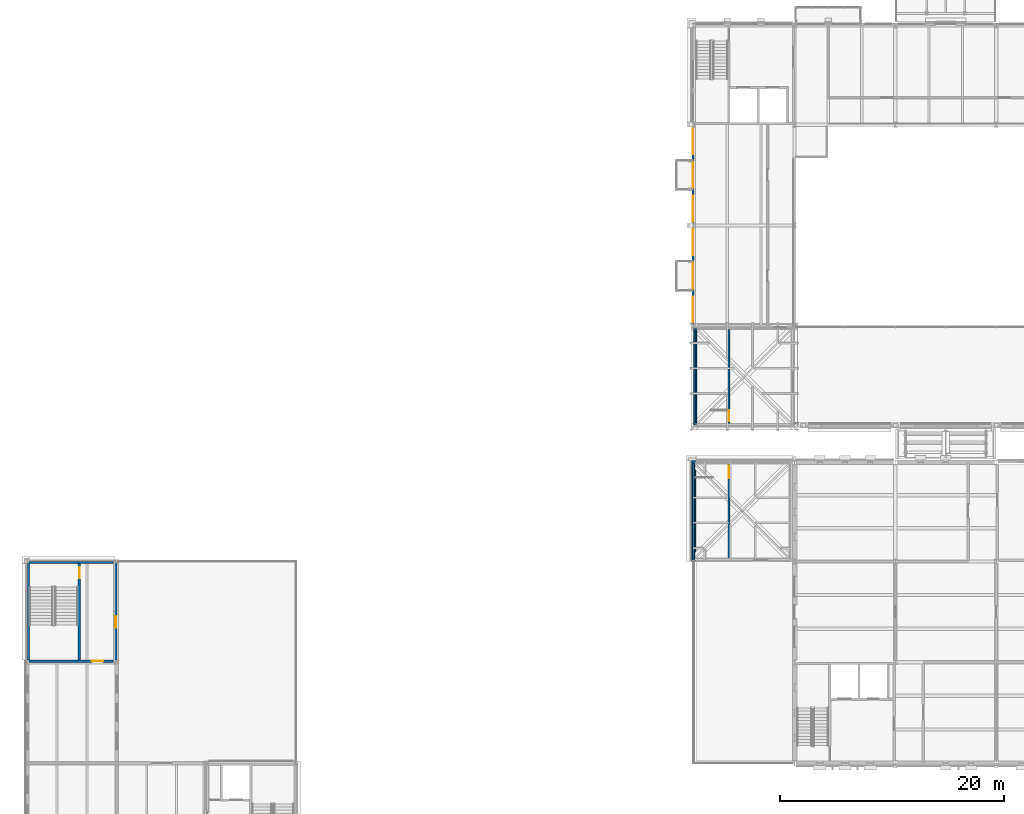
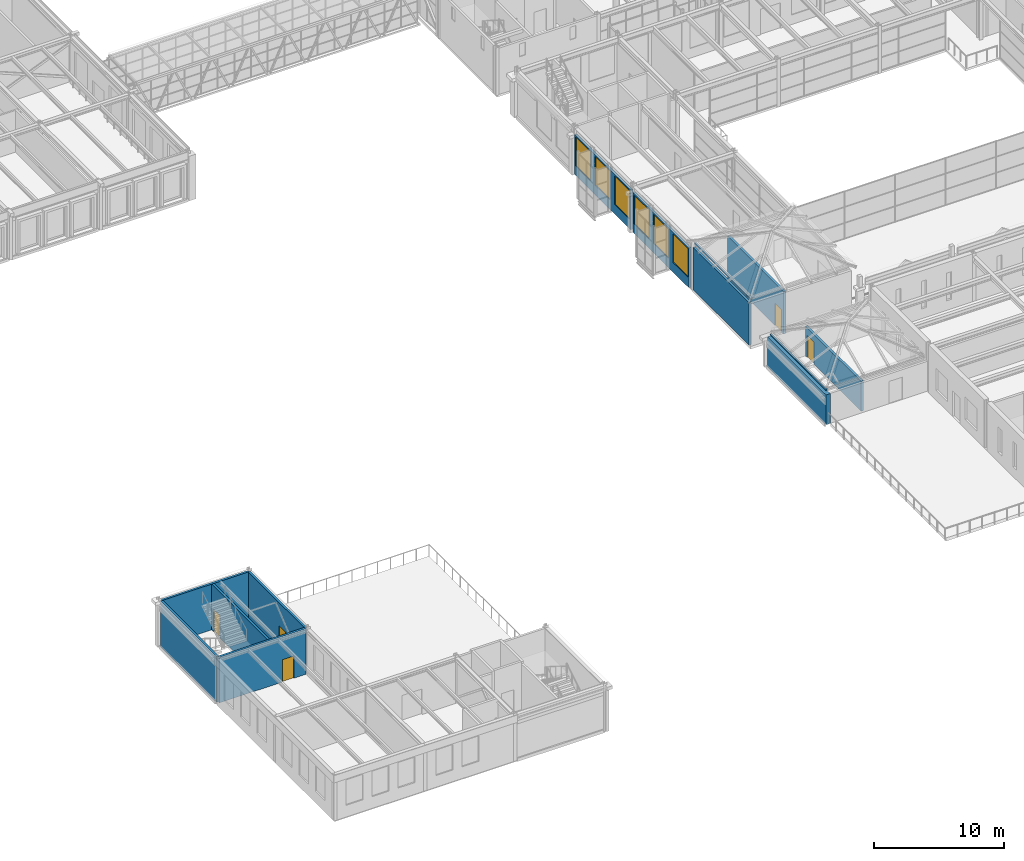
# One storey, part 88 of 149: 13 walls, 6 windows, 5 doors, 11 openings.
"""IFC4 building model written with IfcOpenShell, lengths in metres."""

from ifc_helpers import new_model, si_unit, direction, frame, frame_2d, origin, place, context, subcontext, project, spatial, rectangle, extrude, material, layer, layer_set, type_object, element, fill, save


model = new_model("IFC4")

# Units and contexts
model_context = context("Model", 3, precision=1e-05, world=origin(), true_north=direction((0.0, 1.0)))
body_context = subcontext(model_context, "Body", "Model", "MODEL_VIEW")
ifc_project = project(units=[si_unit("LENGTHUNIT", "METRE"), si_unit("AREAUNIT", "SQUARE_METRE"), si_unit("VOLUMEUNIT", "CUBIC_METRE"), si_unit("PLANEANGLEUNIT", "RADIAN"), si_unit("MASSUNIT", "GRAM", prefix="KILO")], contexts=[model_context])

# Site, building, storey
site_placement = place(None, origin())
site = spatial("IfcSite", under=ifc_project, at=site_placement, CompositionType="ELEMENT")
building_placement = place(site_placement, origin())
building = spatial("IfcBuilding", under=site, at=building_placement, Name="Kallimachos Central Library", CompositionType="ELEMENT")
storey_placement = place(building_placement, frame((0.0, 0.0, 9.89990234375)))
storey = spatial("IfcBuildingStorey", under=building, at=storey_placement, Name="L02", CompositionType="ELEMENT", Elevation=9.89990234375)

# Walls
ifc_material_1 = material(Name="Concrete C30/37", Category="concrete")
ifc_layer_1 = layer(ifc_material_1, 0.14990234375)
ifc_layer_set_1 = layer_set([ifc_layer_1], Name="Concrete C30/37 eaves kerb 150")
wall_type_1 = type_object("IfcWallType", Name="Concrete C30/37 eaves kerb 150", PredefinedType="SOLIDWALL", material=ifc_layer_set_1)
for number, where, z_axis, x_axis, name in (
    (1, (65.5, 36.199951171875, 3.0), (0.0, 0.0, 1.0), (0.0, 1.0, 0.0), "West stair hipped roof eaves kerb W"),
    (2, (65.699951171875, 48.199951171875, 4.25), (0.0, 0.0, 1.0), (0.0, 1.0, 0.0), "Head-house roof V4-SW eaves kerb W"),
):
    element("IfcWall", number, at=place(storey_placement, frame(where, z_axis=z_axis, x_axis=x_axis)), inside=storey, type_object=wall_type_1, Name=name, PredefinedType="SOLIDWALL", context=body_context, shape_type="SweptSolid", body=[
        extrude(rectangle(XDim=8.60009765625, YDim=0.14990234375, at=frame_2d((4.300048828125, 0.0))), origin(), (0.0, 0.0, 1.0), 0.150146484375),
    ])

# Wall, opening, door
ifc_material_2 = material(Name="Concrete C30/37", Category="concrete")
ifc_layer_2 = layer(ifc_material_2, 0.199951171875)
ifc_layer_set_2 = layer_set([ifc_layer_2], Name="Core wall 200")
wall_type_2 = type_object("IfcWallType", Name="Core wall 200", PredefinedType="SOLIDWALL", material=ifc_layer_set_2)
wall_1_placement = place(storey_placement, frame((68.64990234375, 36.199951171875, 0.0), z_axis=(0.0, 0.0, 1.0), x_axis=(0.0, 1.0, 0.0)))
wall_1 = element("IfcWall", 3, at=wall_1_placement, inside=storey, type_object=wall_type_2, Name="V5-WAL-L02-045", PredefinedType="SOLIDWALL", context=body_context, shape_type="SweptSolid", body=[
    extrude(rectangle(XDim=8.60009765625, YDim=0.199951171875, at=frame_2d((4.300048828125, 0.0))), origin(), (0.0, 0.0, 1.0), 2.800048828125),
])
opening_1_placement = place(wall_1_placement, frame((7.25, 0.0, 0.0)))
opening_1 = element("IfcOpeningElement", 4, at=opening_1_placement, cuts=wall_1, Name="Opening D113", PredefinedType="OPENING", context=body_context, shape_type="SweptSolid", body=[
    extrude(rectangle(XDim=1.10009765625, YDim=2.10009765625, at=frame_2d((0.550048828125, 1.050048828125))), frame((0.0, 0.10986328125, 0.0), z_axis=(0.0, -1.0, 0.0), x_axis=(1.0, 0.0, 0.0)), (0.0, 0.0, 1.0), 0.219970703125),
])
ifc_material_3 = material(Name="Steel fire door", Category="steel")
door_type_1 = type_object("IfcDoorType", Name="Fire door EI2 90 1100 x 2100", OperationType="NOTDEFINED", PredefinedType="DOOR", material=ifc_material_3)
door_1_placement = place(opening_1_placement, origin())
door_1 = element("IfcDoor", 5, at=door_1_placement, inside=storey, type_object=door_type_1, Name="ST15 stair door L02", OperationType="SINGLE_SWING_LEFT", OverallHeight=2.10009765625, OverallWidth=1.10009765625, PredefinedType="DOOR", context=body_context, shape_type="SweptSolid", body=[
    extrude(rectangle(XDim=1.10009765625, YDim=2.10009765625, at=frame_2d((0.550048828125, 1.050048828125))), frame((0.0, 0.02490234375, 0.0), z_axis=(0.0, -1.0, 0.0), x_axis=(1.0, 0.0, 0.0)), (0.0, 0.0, 1.0), 0.050048828125),
])
fill(opening_1, door_1)

wall_2_placement = place(storey_placement, frame((6.14990234375, 27.10009765625, 0.0), z_axis=(0.0, 0.0, 1.0), x_axis=(1.0, 0.0, 0.0)))
wall_2 = element("IfcWall", 6, at=wall_2_placement, inside=storey, type_object=wall_type_2, Name="V6-WAL-L02-018", PredefinedType="SOLIDWALL", context=body_context, shape_type="SweptSolid", body=[
    extrude(rectangle(XDim=7.7001953125, YDim=0.199951171875, at=frame_2d((3.85009765625, 0.0))), origin(), (0.0, 0.0, 1.0), 4.300048828125),
])
opening_2_placement = place(wall_2_placement, frame((5.625, 0.0, 0.0)))
opening_2 = element("IfcOpeningElement", 7, at=opening_2_placement, cuts=wall_2, Name="Opening D358", PredefinedType="OPENING", context=body_context, shape_type="SweptSolid", body=[
    extrude(rectangle(XDim=1.0, YDim=2.10009765625, at=frame_2d((0.5, 1.050048828125))), frame((0.0, 0.10986328125, 0.0), z_axis=(0.0, -1.0, 0.0), x_axis=(1.0, 0.0, 0.0)), (0.0, 0.0, 1.0), 0.219970703125),
])
ifc_material_4 = material(Name="Oak timber", Category="wood")
door_type_2 = type_object("IfcDoorType", Name="Single door 1000 x 2100", OperationType="NOTDEFINED", PredefinedType="DOOR", material=ifc_material_4)
door_2_placement = place(opening_2_placement, origin())
door_2 = element("IfcDoor", 8, at=door_2_placement, inside=storey, type_object=door_type_2, Name="Stair Lobby Door", OperationType="SINGLE_SWING_RIGHT", OverallHeight=2.10009765625, OverallWidth=1.0, PredefinedType="DOOR", context=body_context, shape_type="SweptSolid", body=[
    extrude(rectangle(XDim=1.0, YDim=2.10009765625, at=frame_2d((0.5, 1.050048828125))), frame((0.0, 0.02490234375, 0.0), z_axis=(0.0, -1.0, 0.0), x_axis=(1.0, 0.0, 0.0)), (0.0, 0.0, 1.0), 0.050048828125),
])
fill(opening_2, door_2)

wall_3_placement = place(storey_placement, frame((13.89990234375, 27.199951171875, 0.0), z_axis=(0.0, 0.0, 1.0), x_axis=(0.0, 1.0, 0.0)))
wall_3 = element("IfcWall", 9, at=wall_3_placement, inside=storey, type_object=wall_type_2, Name="V6-WAL-L02-021", PredefinedType="SOLIDWALL", context=body_context, shape_type="SweptSolid", body=[
    extrude(rectangle(XDim=8.60009765625, YDim=0.199951171875, at=frame_2d((4.300048828125, 0.0))), origin(), (0.0, 0.0, 1.0), 4.300048828125),
])
opening_3_placement = place(wall_3_placement, frame((2.89990234375, 0.0, 0.0)))
opening_3 = element("IfcOpeningElement", 10, at=opening_3_placement, cuts=wall_3, Name="Opening D362", PredefinedType="OPENING", context=body_context, shape_type="SweptSolid", body=[
    extrude(rectangle(XDim=1.0, YDim=2.10009765625, at=frame_2d((0.5, 1.050048828125))), frame((0.0, 0.10986328125, 0.0), z_axis=(0.0, -1.0, 0.0), x_axis=(1.0, 0.0, 0.0)), (0.0, 0.0, 1.0), 0.219970703125),
])
door_3_placement = place(opening_3_placement, origin())
door_3 = element("IfcDoor", 11, at=door_3_placement, inside=storey, type_object=door_type_2, Name="Garden Door", OperationType="SINGLE_SWING_RIGHT", OverallHeight=2.10009765625, OverallWidth=1.0, PredefinedType="DOOR", context=body_context, shape_type="SweptSolid", body=[
    extrude(rectangle(XDim=1.0, YDim=2.10009765625, at=frame_2d((0.5, 1.050048828125))), frame((0.0, 0.02490234375, 0.0), z_axis=(0.0, -1.0, 0.0), x_axis=(1.0, 0.0, 0.0)), (0.0, 0.0, 1.0), 0.050048828125),
])
fill(opening_3, door_3)

wall_4_placement = place(storey_placement, frame((10.64990234375, 27.199951171875, 0.0), z_axis=(0.0, 0.0, 1.0), x_axis=(0.0, 1.0, 0.0)))
wall_4 = element("IfcWall", 12, at=wall_4_placement, inside=storey, type_object=wall_type_2, Name="V6-WAL-L02-022", PredefinedType="SOLIDWALL", context=body_context, shape_type="SweptSolid", body=[
    extrude(rectangle(XDim=8.60009765625, YDim=0.199951171875, at=frame_2d((4.300048828125, 0.0))), origin(), (0.0, 0.0, 1.0), 4.300048828125),
])
opening_4_placement = place(wall_4_placement, frame((7.300048828125, 0.0, 0.0)))
opening_4 = element("IfcOpeningElement", 13, at=opening_4_placement, cuts=wall_4, Name="Opening D351", PredefinedType="OPENING", context=body_context, shape_type="SweptSolid", body=[
    extrude(rectangle(XDim=1.0, YDim=2.10009765625, at=frame_2d((0.5, 1.050048828125))), frame((0.0, 0.10986328125, 0.0), z_axis=(0.0, -1.0, 0.0), x_axis=(1.0, 0.0, 0.0)), (0.0, 0.0, 1.0), 0.219970703125),
])
door_4_placement = place(opening_4_placement, frame((1.0, 0.0, 0.0), z_axis=(0.0, 0.0, 1.0), x_axis=(-1.0, 0.0, 0.0)))
door_4 = element("IfcDoor", 14, at=door_4_placement, inside=storey, type_object=door_type_2, Name="Stair Door", OperationType="SINGLE_SWING_RIGHT", OverallHeight=2.10009765625, OverallWidth=1.0, PredefinedType="DOOR", context=body_context, shape_type="SweptSolid", body=[
    extrude(rectangle(XDim=1.0, YDim=2.10009765625, at=frame_2d((0.5, 1.050048828125))), frame((0.0, 0.02490234375, 0.0), z_axis=(0.0, -1.0, 0.0), x_axis=(1.0, 0.0, 0.0)), (0.0, 0.0, 1.0), 0.050048828125),
])
fill(opening_4, door_4)

# Wall
ifc_material_5 = material(Name="Concrete C35/45", Category="concrete")
ifc_layer_3 = layer(ifc_material_5, 0.199951171875)
ifc_layer_set_3 = layer_set([ifc_layer_3], Name="Shear core wall 200")
wall_type_3 = type_object("IfcWallType", Name="Shear core wall 200", PredefinedType="SHEAR", material=ifc_layer_set_3)
wall_5_placement = place(storey_placement, frame((65.60009765625, 48.199951171875, 0.0), z_axis=(0.0, 0.0, 1.0), x_axis=(0.0, 1.0, 0.0)))
element("IfcWall", 15, at=wall_5_placement, inside=storey, type_object=wall_type_3, Name="Head-house wall V4-SW W", PredefinedType="SHEAR", context=body_context, shape_type="SweptSolid", body=[
    extrude(rectangle(XDim=8.60009765625, YDim=0.199951171875, at=frame_2d((4.300048828125, 0.0))), origin(), (0.0, 0.0, 1.0), 4.0),
])

# Wall, opening, door
ifc_material_6 = material(Name="Concrete C35/45", Category="concrete")
ifc_layer_4 = layer(ifc_material_6, 0.199951171875)
ifc_layer_set_4 = layer_set([ifc_layer_4], Name="Shear core wall 200, internal")
wall_type_4 = type_object("IfcWallType", Name="Shear core wall 200, internal", PredefinedType="SHEAR", material=ifc_layer_set_4)
wall_6_placement = place(storey_placement, frame((68.64990234375, 48.14990234375, 0.0), z_axis=(0.0, 0.0, 1.0), x_axis=(0.0, 1.0, 0.0)))
wall_6 = element("IfcWall", 16, at=wall_6_placement, inside=storey, type_object=wall_type_4, Name="L02 core wall V4-SW M", PredefinedType="SHEAR", context=body_context, shape_type="SweptSolid", body=[
    extrude(rectangle(XDim=8.650146484375, YDim=0.199951171875, at=frame_2d((4.3251953125, 0.0))), origin(), (0.0, 0.0, 1.0), 4.0),
])
opening_5_placement = place(wall_6_placement, frame((0.35009765625, 0.0, 0.0)))
opening_5 = element("IfcOpeningElement", 17, at=opening_5_placement, cuts=wall_6, Name="Opening D175", PredefinedType="OPENING", context=body_context, shape_type="SweptSolid", body=[
    extrude(rectangle(XDim=1.0, YDim=2.10009765625, at=frame_2d((0.5, 1.050048828125))), frame((0.0, 0.10986328125, 0.0), z_axis=(0.0, -1.0, 0.0), x_axis=(1.0, 0.0, 0.0)), (0.0, 0.0, 1.0), 0.219970703125),
])
ifc_material_7 = material(Name="Timber", Category="wood")
door_type_3 = type_object("IfcDoorType", Name="Single leaf door 1000 x 2100, EI2 90", OperationType="NOTDEFINED", PredefinedType="DOOR", material=ifc_material_7)
door_5_placement = place(opening_5_placement, origin())
door_5 = element("IfcDoor", 18, at=door_5_placement, inside=storey, type_object=door_type_3, Name="L02 core door V4-SW", OperationType="SINGLE_SWING_RIGHT", OverallHeight=2.10009765625, OverallWidth=1.0, PredefinedType="DOOR", context=body_context, shape_type="SweptSolid", body=[
    extrude(rectangle(XDim=1.0, YDim=2.10009765625, at=frame_2d((0.5, 1.050048828125))), frame((0.0, 0.02490234375, 0.0), z_axis=(0.0, -1.0, 0.0), x_axis=(1.0, 0.0, 0.0)), (0.0, 0.0, 1.0), 0.050048828125),
])
fill(opening_5, door_5)

# Walls
ifc_material_8 = material(Name="Concrete C30/37", Category="concrete")
ifc_layer_5 = layer(ifc_material_8, 0.199951171875)
ifc_layer_set_5 = layer_set([ifc_layer_5], Name="Stone-clad core wall 200")
wall_type_5 = type_object("IfcWallType", Name="Stone-clad core wall 200", PredefinedType="SOLIDWALL", material=ifc_layer_set_5)
wall_7_placement = place(storey_placement, frame((6.10009765625, 27.199951171875, 0.0), z_axis=(0.0, 0.0, 1.0), x_axis=(0.0, 1.0, 0.0)))
element("IfcWall", 19, at=wall_7_placement, inside=storey, type_object=wall_type_5, Name="V6-WAL-L02-019", PredefinedType="SOLIDWALL", context=body_context, shape_type="SweptSolid", body=[
    extrude(rectangle(XDim=8.60009765625, YDim=0.199951171875, at=frame_2d((4.300048828125, 0.0))), origin(), (0.0, 0.0, 1.0), 4.300048828125),
])
wall_8_placement = place(storey_placement, frame((6.14990234375, 35.89990234375, 0.0), z_axis=(0.0, 0.0, 1.0), x_axis=(1.0, 0.0, 0.0)))
element("IfcWall", 20, at=wall_8_placement, inside=storey, type_object=wall_type_5, Name="V6-WAL-L02-020", PredefinedType="SOLIDWALL", context=body_context, shape_type="SweptSolid", body=[
    extrude(rectangle(XDim=7.7001953125, YDim=0.199951171875, at=frame_2d((3.85009765625, 0.0))), origin(), (0.0, 0.0, 1.0), 4.300048828125),
])
ifc_material_9 = material(Name="Concrete C30/37", Category="concrete")
ifc_layer_6 = layer(ifc_material_9, 0.39990234375)
ifc_layer_set_6 = layer_set([ifc_layer_6], Name="Stone-clad core wall 400")
wall_type_6 = type_object("IfcWallType", Name="Stone-clad core wall 400", PredefinedType="SOLIDWALL", material=ifc_layer_set_6)
wall_9_placement = place(storey_placement, frame((65.5, 36.0, 0.0), z_axis=(0.0, 0.0, 1.0), x_axis=(0.0, 1.0, 0.0)))
element("IfcWall", 21, at=wall_9_placement, inside=storey, type_object=wall_type_6, Name="V5-WAL-L02-030", PredefinedType="SOLIDWALL", context=body_context, shape_type="SweptSolid", body=[
    extrude(rectangle(XDim=9.0, YDim=0.39990234375, at=frame_2d((4.5, 0.0))), origin(), (0.0, 0.0, 1.0), 2.800048828125),
])

# Wall, openings, windows
ifc_material_10 = material(Name="Brick masonry with Pentelic marble cladding", Category="masonry")
ifc_layer_7 = layer(ifc_material_10, 0.199951171875)
ifc_layer_set_7 = layer_set([ifc_layer_7], Name="Stone-clad masonry wall 200")
wall_type_7 = type_object("IfcWallType", Name="Stone-clad masonry wall 200", PredefinedType="SOLIDWALL", material=ifc_layer_set_7)
wall_10_placement = place(storey_placement, frame((65.445556640625, 57.1884765625, 0.0), z_axis=(0.0, 0.0, 1.0), x_axis=(0.0, 1.0, 0.0)))
wall_10 = element("IfcWall", 22, at=wall_10_placement, inside=storey, type_object=wall_type_7, Name="V4-WAL-L02-020", PredefinedType="SOLIDWALL", context=body_context, shape_type="SweptSolid", body=[
    extrude(rectangle(XDim=8.623046875, YDim=0.199951171875, at=frame_2d((4.3115234375, 0.0))), origin(), (0.0, 0.0, 1.0), 3.75),
])
opening_6_placement = place(wall_10_placement, frame((0.16162109375, 0.0, 0.89990234375)))
opening_6 = element("IfcOpeningElement", 23, at=opening_6_placement, cuts=wall_10, Name="Opening WN161", PredefinedType="OPENING", context=body_context, shape_type="SweptSolid", body=[
    extrude(rectangle(XDim=2.300048828125, YDim=2.699951171875, at=frame_2d((1.14990234375, 1.35009765625))), frame((0.0, 0.10986328125, 0.0), z_axis=(0.0, -1.0, 0.0), x_axis=(1.0, 0.0, 0.0)), (0.0, 0.0, 1.0), 0.219970703125),
])
opening_7_placement = place(wall_10_placement, frame((3.16162109375, 0.0, 0.89990234375)))
opening_7 = element("IfcOpeningElement", 24, at=opening_7_placement, cuts=wall_10, Name="Opening WN161", PredefinedType="OPENING", context=body_context, shape_type="SweptSolid", body=[
    extrude(rectangle(XDim=2.300048828125, YDim=2.699951171875, at=frame_2d((1.14990234375, 1.35009765625))), frame((0.0, 0.10986328125, 0.0), z_axis=(0.0, -1.0, 0.0), x_axis=(1.0, 0.0, 0.0)), (0.0, 0.0, 1.0), 0.219970703125),
])
opening_8_placement = place(wall_10_placement, frame((6.16162109375, 0.0, 0.89990234375)))
opening_8 = element("IfcOpeningElement", 25, at=opening_8_placement, cuts=wall_10, Name="Opening WN161", PredefinedType="OPENING", context=body_context, shape_type="SweptSolid", body=[
    extrude(rectangle(XDim=2.300048828125, YDim=2.699951171875, at=frame_2d((1.14990234375, 1.35009765625))), frame((0.0, 0.10986328125, 0.0), z_axis=(0.0, -1.0, 0.0), x_axis=(1.0, 0.0, 0.0)), (0.0, 0.0, 1.0), 0.219970703125),
])
ifc_material_11 = material(Name="Anodised aluminium and laminated glass", Category="aluminium")
window_type = type_object("IfcWindowType", Name="Window 2300 x 2700", PartitioningType="DOUBLE_PANEL_VERTICAL", PredefinedType="WINDOW", material=ifc_material_11)
window_1_placement = place(opening_6_placement, origin())
window_1 = element("IfcWindow", 26, at=window_1_placement, inside=storey, type_object=window_type, Name="V4-WIN-L02-015", OverallHeight=2.699951171875, OverallWidth=2.300048828125, PartitioningType="SINGLE_PANEL", PredefinedType="WINDOW", context=body_context, shape_type="SweptSolid", body=[
    extrude(rectangle(XDim=2.300048828125, YDim=2.699951171875, at=frame_2d((1.14990234375, 1.35009765625))), frame((0.0, 0.030029296875, 0.0), z_axis=(0.0, -1.0, 0.0), x_axis=(1.0, 0.0, 0.0)), (0.0, 0.0, 1.0), 0.06005859375),
])
fill(opening_6, window_1)
window_2_placement = place(opening_7_placement, origin())
window_2 = element("IfcWindow", 27, at=window_2_placement, inside=storey, type_object=window_type, Name="V4-WIN-L02-016", OverallHeight=2.699951171875, OverallWidth=2.300048828125, PartitioningType="SINGLE_PANEL", PredefinedType="WINDOW", context=body_context, shape_type="SweptSolid", body=[
    extrude(rectangle(XDim=2.300048828125, YDim=2.699951171875, at=frame_2d((1.14990234375, 1.35009765625))), frame((0.0, 0.030029296875, 0.0), z_axis=(0.0, -1.0, 0.0), x_axis=(1.0, 0.0, 0.0)), (0.0, 0.0, 1.0), 0.06005859375),
])
fill(opening_7, window_2)
window_3_placement = place(opening_8_placement, origin())
window_3 = element("IfcWindow", 28, at=window_3_placement, inside=storey, type_object=window_type, Name="V4-WIN-L02-017", OverallHeight=2.699951171875, OverallWidth=2.300048828125, PartitioningType="SINGLE_PANEL", PredefinedType="WINDOW", context=body_context, shape_type="SweptSolid", body=[
    extrude(rectangle(XDim=2.300048828125, YDim=2.699951171875, at=frame_2d((1.14990234375, 1.35009765625))), frame((0.0, 0.030029296875, 0.0), z_axis=(0.0, -1.0, 0.0), x_axis=(1.0, 0.0, 0.0)), (0.0, 0.0, 1.0), 0.06005859375),
])
fill(opening_8, window_3)

wall_11_placement = place(storey_placement, frame((65.445556640625, 66.1884765625, 0.0), z_axis=(0.0, 0.0, 1.0), x_axis=(0.0, 1.0, 0.0)))
wall_11 = element("IfcWall", 29, at=wall_11_placement, inside=storey, type_object=wall_type_7, Name="V4-WAL-L02-021", PredefinedType="SOLIDWALL", context=body_context, shape_type="SweptSolid", body=[
    extrude(rectangle(XDim=8.595458984375, YDim=0.199951171875, at=frame_2d((4.2978515625, 0.0))), origin(), (0.0, 0.0, 1.0), 3.75),
])
opening_9_placement = place(wall_11_placement, frame((0.16162109375, 0.0, 0.89990234375)))
opening_9 = element("IfcOpeningElement", 30, at=opening_9_placement, cuts=wall_11, Name="Opening WN161", PredefinedType="OPENING", context=body_context, shape_type="SweptSolid", body=[
    extrude(rectangle(XDim=2.300048828125, YDim=2.699951171875, at=frame_2d((1.14990234375, 1.35009765625))), frame((0.0, 0.10986328125, 0.0), z_axis=(0.0, -1.0, 0.0), x_axis=(1.0, 0.0, 0.0)), (0.0, 0.0, 1.0), 0.219970703125),
])
opening_10_placement = place(wall_11_placement, frame((3.16162109375, 0.0, 0.89990234375)))
opening_10 = element("IfcOpeningElement", 31, at=opening_10_placement, cuts=wall_11, Name="Opening WN161", PredefinedType="OPENING", context=body_context, shape_type="SweptSolid", body=[
    extrude(rectangle(XDim=2.300048828125, YDim=2.699951171875, at=frame_2d((1.14990234375, 1.35009765625))), frame((0.0, 0.10986328125, 0.0), z_axis=(0.0, -1.0, 0.0), x_axis=(1.0, 0.0, 0.0)), (0.0, 0.0, 1.0), 0.219970703125),
])
opening_11_placement = place(wall_11_placement, frame((6.16162109375, 0.0, 0.89990234375)))
opening_11 = element("IfcOpeningElement", 32, at=opening_11_placement, cuts=wall_11, Name="Opening WN161", PredefinedType="OPENING", context=body_context, shape_type="SweptSolid", body=[
    extrude(rectangle(XDim=2.300048828125, YDim=2.699951171875, at=frame_2d((1.14990234375, 1.35009765625))), frame((0.0, 0.10986328125, 0.0), z_axis=(0.0, -1.0, 0.0), x_axis=(1.0, 0.0, 0.0)), (0.0, 0.0, 1.0), 0.219970703125),
])
window_4_placement = place(opening_9_placement, origin())
window_4 = element("IfcWindow", 33, at=window_4_placement, inside=storey, type_object=window_type, Name="V4-WIN-L02-018", OverallHeight=2.699951171875, OverallWidth=2.300048828125, PartitioningType="SINGLE_PANEL", PredefinedType="WINDOW", context=body_context, shape_type="SweptSolid", body=[
    extrude(rectangle(XDim=2.300048828125, YDim=2.699951171875, at=frame_2d((1.14990234375, 1.35009765625))), frame((0.0, 0.030029296875, 0.0), z_axis=(0.0, -1.0, 0.0), x_axis=(1.0, 0.0, 0.0)), (0.0, 0.0, 1.0), 0.06005859375),
])
fill(opening_9, window_4)
window_5_placement = place(opening_10_placement, origin())
window_5 = element("IfcWindow", 34, at=window_5_placement, inside=storey, type_object=window_type, Name="V4-WIN-L02-019", OverallHeight=2.699951171875, OverallWidth=2.300048828125, PartitioningType="SINGLE_PANEL", PredefinedType="WINDOW", context=body_context, shape_type="SweptSolid", body=[
    extrude(rectangle(XDim=2.300048828125, YDim=2.699951171875, at=frame_2d((1.14990234375, 1.35009765625))), frame((0.0, 0.030029296875, 0.0), z_axis=(0.0, -1.0, 0.0), x_axis=(1.0, 0.0, 0.0)), (0.0, 0.0, 1.0), 0.06005859375),
])
fill(opening_10, window_5)
window_6_placement = place(opening_11_placement, origin())
window_6 = element("IfcWindow", 35, at=window_6_placement, inside=storey, type_object=window_type, Name="V4-WIN-L02-020", OverallHeight=2.699951171875, OverallWidth=2.300048828125, PartitioningType="SINGLE_PANEL", PredefinedType="WINDOW", context=body_context, shape_type="SweptSolid", body=[
    extrude(rectangle(XDim=2.300048828125, YDim=2.699951171875, at=frame_2d((1.14990234375, 1.35009765625))), frame((0.0, 0.030029296875, 0.0), z_axis=(0.0, -1.0, 0.0), x_axis=(1.0, 0.0, 0.0)), (0.0, 0.0, 1.0), 0.06005859375),
])
fill(opening_11, window_6)

save(model, "model.ifc")
